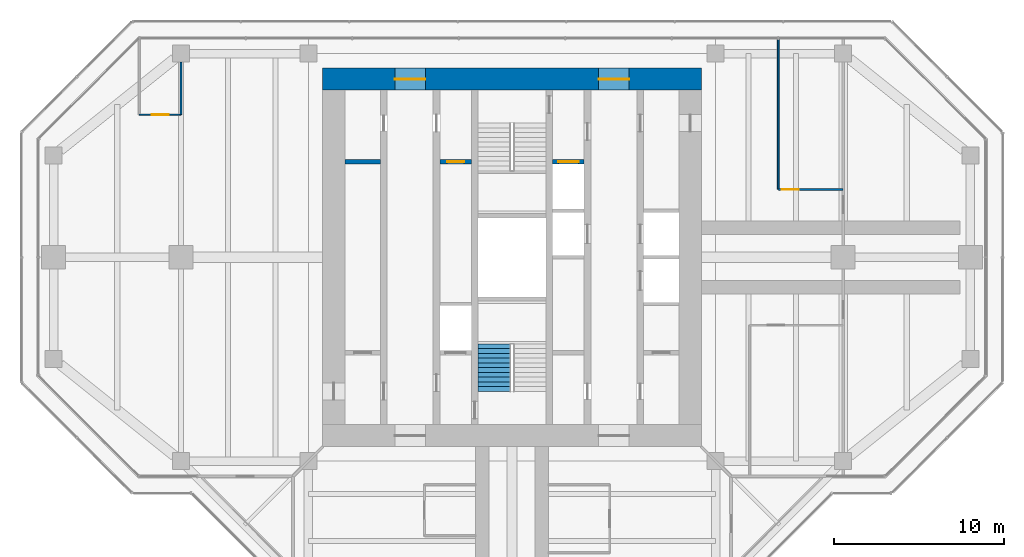
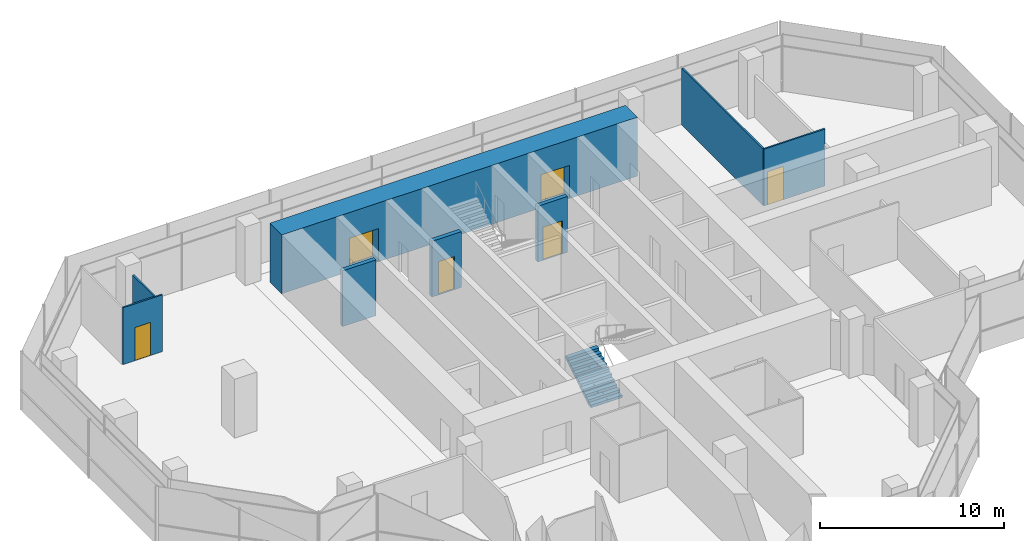
# One storey, part 13 of 15: 8 walls, 6 doors, 1 stair flight, 6 openings, 1 element without a shape of its own.
"""IFC4 building model written with IfcOpenShell, lengths in metres."""

from ifc_helpers import new_model, si_unit, direction, frame, frame_2d, origin, place, context, subcontext, project, spatial, polyline, rectangle, outline, extrude, material, layer, layer_set, type_object, element, fill, aggregate, save


model = new_model("IFC4")

# Units and contexts
model_context = context("Model", 3, precision=1e-05, world=origin(), true_north=direction((0.0, 1.0)))
body_context = subcontext(model_context, "Body", "Model", "MODEL_VIEW")
ifc_project = project(units=[si_unit("LENGTHUNIT", "METRE"), si_unit("AREAUNIT", "SQUARE_METRE"), si_unit("VOLUMEUNIT", "CUBIC_METRE"), si_unit("PLANEANGLEUNIT", "RADIAN"), si_unit("MASSUNIT", "GRAM", prefix="KILO")], contexts=[model_context])

# Site, building, storey
site_placement = place(None, origin())
site = spatial("IfcSite", under=ifc_project, at=site_placement, CompositionType="ELEMENT")
building_placement = place(site_placement, origin())
building = spatial("IfcBuilding", under=site, at=building_placement, Name="Mizan Broadcast Tower", CompositionType="ELEMENT")
storey_placement = place(building_placement, frame((0.0, 0.0, 271.199951171875)))
storey = spatial("IfcBuildingStorey", under=building, at=storey_placement, Name="L64", CompositionType="ELEMENT", Elevation=271.199951171875)

# Wall, openings, doors
ifc_material_1 = material(Name="Concrete C70/85", Category="concrete")
ifc_layer_1 = layer(ifc_material_1, 1.300048828125)
ifc_layer_set_1 = layer_set([ifc_layer_1], Name="Concrete C70/85")
wall_type_1 = type_object("IfcWallType", Name="CORE WALL 1300", PredefinedType="SHEAR", material=ifc_layer_set_1)
wall_1_placement = place(storey_placement, frame((-11.14990234375, 10.5, 0.0), z_axis=(0.0, 0.0, 1.0), x_axis=(1.0, 0.0, 0.0)))
wall_1 = element("IfcWall", 1, at=wall_1_placement, inside=storey, type_object=wall_type_1, Name="Core wall N L64", PredefinedType="SHEAR", context=body_context, shape_type="SweptSolid", body=[
    extrude(rectangle(XDim=22.2998046875, YDim=1.300048828125, at=frame_2d((11.14990234375, 0.0))), origin(), (0.0, 0.0, 1.0), 3.900146484375),
])
opening_1_placement = place(wall_1_placement, frame((4.25, 0.0, 0.0)))
opening_1 = element("IfcOpeningElement", 2, at=opening_1_placement, cuts=wall_1, Name="Opening D18F", PredefinedType="OPENING", context=body_context, shape_type="SweptSolid", body=[
    extrude(rectangle(XDim=1.800048828125, YDim=2.199951171875, at=frame_2d((0.89990234375, 1.10009765625))), frame((0.0, 0.659912109375, 0.0), z_axis=(0.0, -1.0, 0.0), x_axis=(1.0, 0.0, 0.0)), (0.0, 0.0, 1.0), 1.320068359375),
])
opening_2_placement = place(wall_1_placement, frame((16.25, 0.0, 0.0)))
opening_2 = element("IfcOpeningElement", 3, at=opening_2_placement, cuts=wall_1, Name="Opening D18F", PredefinedType="OPENING", context=body_context, shape_type="SweptSolid", body=[
    extrude(rectangle(XDim=1.800048828125, YDim=2.199951171875, at=frame_2d((0.89990234375, 1.10009765625))), frame((0.0, 0.659912109375, 0.0), z_axis=(0.0, -1.0, 0.0), x_axis=(1.0, 0.0, 0.0)), (0.0, 0.0, 1.0), 1.320068359375),
])
ifc_material_2 = material(Name="Steel door leaf in steel frame", Category="steel")
door_type_1 = type_object("IfcDoorType", Name="LOBBY DOUBLE DOOR 1800 FD90", OperationType="DOUBLE_DOOR_DOUBLE_SWING", PredefinedType="DOOR", material=ifc_material_2)
door_1_placement = place(opening_1_placement, origin())
door_1 = element("IfcDoor", 4, at=door_1_placement, inside=storey, type_object=door_type_1, Name="West lift lobby north door", OperationType="DOUBLE_DOOR_DOUBLE_SWING", OverallHeight=2.199951171875, OverallWidth=1.800048828125, PredefinedType="DOOR", context=body_context, shape_type="SweptSolid", body=[
    extrude(rectangle(XDim=1.800048828125, YDim=2.199951171875, at=frame_2d((0.89990234375, 1.10009765625))), frame((0.0, 0.02490234375, 0.0), z_axis=(0.0, -1.0, 0.0), x_axis=(1.0, 0.0, 0.0)), (0.0, 0.0, 1.0), 0.050048828125),
])
fill(opening_1, door_1)
door_2_placement = place(opening_2_placement, origin())
door_2 = element("IfcDoor", 5, at=door_2_placement, inside=storey, type_object=door_type_1, Name="East lift lobby north door", OperationType="DOUBLE_DOOR_DOUBLE_SWING", OverallHeight=2.199951171875, OverallWidth=1.800048828125, PredefinedType="DOOR", context=body_context, shape_type="SweptSolid", body=[
    extrude(rectangle(XDim=1.800048828125, YDim=2.199951171875, at=frame_2d((0.89990234375, 1.10009765625))), frame((0.0, 0.02490234375, 0.0), z_axis=(0.0, -1.0, 0.0), x_axis=(1.0, 0.0, 0.0)), (0.0, 0.0, 1.0), 0.050048828125),
])
fill(opening_2, door_2)

# Wall
ifc_material_3 = material(Name="Concrete blockwork", Category="masonry")
ifc_layer_2 = layer(ifc_material_3, 0.25)
ifc_layer_set_2 = layer_set([ifc_layer_2], Name="Concrete blockwork")
wall_type_2 = type_object("IfcWallType", Name="LOBBY ENCLOSURE WALL 250", PredefinedType="SOLIDWALL", material=ifc_layer_set_2)
wall_2_placement = place(storey_placement, frame((-9.85009765625, 5.625, 0.0), z_axis=(0.0, 0.0, 1.0), x_axis=(1.0, 0.0, 0.0)))
element("IfcWall", 6, at=wall_2_placement, inside=storey, type_object=wall_type_2, Name="Lobby enclosure wall CORE/BW1N", PredefinedType="SOLIDWALL", context=body_context, shape_type="SweptSolid", body=[
    extrude(rectangle(XDim=2.10009765625, YDim=0.25, at=frame_2d((1.050048828125, 0.0))), origin(), (0.0, 0.0, 1.0), 3.699951171875),
])

# Wall, opening, door
wall_3_placement = place(storey_placement, frame((-4.25, 5.625, 0.0), z_axis=(0.0, 0.0, 1.0), x_axis=(1.0, 0.0, 0.0)))
wall_3 = element("IfcWall", 7, at=wall_3_placement, inside=storey, type_object=wall_type_2, Name="Lobby enclosure wall CORE/BW2N", PredefinedType="SOLIDWALL", context=body_context, shape_type="SweptSolid", body=[
    extrude(rectangle(XDim=1.85009765625, YDim=0.25, at=frame_2d((0.925048828125, 0.0))), origin(), (0.0, 0.0, 1.0), 3.699951171875),
])
opening_3_placement = place(wall_3_placement, frame((0.425048828125, 0.0, 0.0)))
opening_3 = element("IfcOpeningElement", 8, at=opening_3_placement, cuts=wall_3, Name="Opening D10F", PredefinedType="OPENING", context=body_context, shape_type="SweptSolid", body=[
    extrude(rectangle(XDim=1.0, YDim=2.199951171875, at=frame_2d((0.5, 1.10009765625))), frame((0.0, 0.135009765625, 0.0), z_axis=(0.0, -1.0, 0.0), x_axis=(1.0, 0.0, 0.0)), (0.0, 0.0, 1.0), 0.27001953125),
])
ifc_material_4 = material(Name="Steel door leaf in steel frame", Category="steel")
door_type_2 = type_object("IfcDoorType", Name="FIRE DOOR 1000 FD90", OperationType="SINGLE_SWING_LEFT", PredefinedType="DOOR", material=ifc_material_4)
door_3_placement = place(opening_3_placement, origin())
door_3 = element("IfcDoor", 9, at=door_3_placement, inside=storey, type_object=door_type_2, Name="Accessible shower room door", OperationType="SINGLE_SWING_RIGHT", OverallHeight=2.199951171875, OverallWidth=1.0, PredefinedType="DOOR", context=body_context, shape_type="SweptSolid", body=[
    extrude(rectangle(XDim=1.0, YDim=2.199951171875, at=frame_2d((0.5, 1.10009765625))), frame((0.0, 0.02490234375, 0.0), z_axis=(0.0, -1.0, 0.0), x_axis=(1.0, 0.0, 0.0)), (0.0, 0.0, 1.0), 0.050048828125),
])
fill(opening_3, door_3)

wall_4_placement = place(storey_placement, frame((2.39990234375, 5.625, 0.0), z_axis=(0.0, 0.0, 1.0), x_axis=(1.0, 0.0, 0.0)))
wall_4 = element("IfcWall", 10, at=wall_4_placement, inside=storey, type_object=wall_type_2, Name="Lobby enclosure wall CORE/BE2N", PredefinedType="SOLIDWALL", context=body_context, shape_type="SweptSolid", body=[
    extrude(rectangle(XDim=1.85009765625, YDim=0.25, at=frame_2d((0.925048828125, 0.0))), origin(), (0.0, 0.0, 1.0), 3.699951171875),
])
opening_4_placement = place(wall_4_placement, frame((0.324951171875, 0.0, 0.0)))
opening_4 = element("IfcOpeningElement", 11, at=opening_4_placement, cuts=wall_4, Name="Opening LDF", PredefinedType="OPENING", context=body_context, shape_type="SweptSolid", body=[
    extrude(rectangle(XDim=1.199951171875, YDim=2.199951171875, at=frame_2d((0.60009765625, 1.10009765625))), frame((0.0, 0.135009765625, 0.0), z_axis=(0.0, -1.0, 0.0), x_axis=(1.0, 0.0, 0.0)), (0.0, 0.0, 1.0), 0.27001953125),
])
ifc_material_5 = material(Name="Steel door leaf in steel frame", Category="steel")
door_type_3 = type_object("IfcDoorType", Name="FIREFIGHTING LIFT LANDING DOOR 1200", OperationType="SLIDING_TO_LEFT", PredefinedType="DOOR", material=ifc_material_5)
door_4_placement = place(opening_4_placement, origin())
door_4 = element("IfcDoor", 12, at=door_4_placement, inside=storey, type_object=door_type_3, Name="Landing door FF2", OperationType="SLIDING_TO_LEFT", OverallHeight=2.199951171875, OverallWidth=1.199951171875, PredefinedType="DOOR", context=body_context, shape_type="SweptSolid", body=[
    extrude(rectangle(XDim=1.199951171875, YDim=2.199951171875, at=frame_2d((0.60009765625, 1.10009765625))), frame((0.0, 0.02490234375, 0.0), z_axis=(0.0, -1.0, 0.0), x_axis=(1.0, 0.0, 0.0)), (0.0, 0.0, 1.0), 0.050048828125),
])
fill(opening_4, door_4)

ifc_material_6 = material(Name="Glazed aluminium partition on aluminium track", Category="aluminium")
ifc_layer_3 = layer(ifc_material_6, 0.10009765625)
ifc_layer_set_3 = layer_set([ifc_layer_3], Name="Glazed aluminium partition on aluminium track")
wall_type_3 = type_object("IfcWallType", Name="PARTITION GLAZED OFFICE FRONT 100", PredefinedType="PARTITIONING", material=ifc_layer_set_3)
wall_5_placement = place(storey_placement, frame((15.68505859375, 4.0, 0.0), z_axis=(0.0, 0.0, 1.0), x_axis=(1.0, 0.0, 0.0)))
wall_5 = element("IfcWall", 13, at=wall_5_placement, inside=storey, type_object=wall_type_3, Name="Glazed office front PT/ECP0", PredefinedType="PARTITIONING", context=body_context, shape_type="SweptSolid", body=[
    extrude(rectangle(XDim=3.81494140625, YDim=0.10009765625, at=frame_2d((1.907470703125, 0.0))), origin(), (0.0, 0.0, 1.0), 3.77001953125),
])
opening_5_placement = place(wall_5_placement, frame((0.20751953125, 0.0, 0.0)))
opening_5 = element("IfcOpeningElement", 14, at=opening_5_placement, cuts=wall_5, Name="Opening D10O", PredefinedType="OPENING", context=body_context, shape_type="SweptSolid", body=[
    extrude(rectangle(XDim=1.0, YDim=2.199951171875, at=frame_2d((0.5, 1.10009765625))), frame((0.0, 0.06005859375, 0.0), z_axis=(0.0, -1.0, 0.0), x_axis=(1.0, 0.0, 0.0)), (0.0, 0.0, 1.0), 0.1201171875),
])
ifc_material_7 = material(Name="Timber door leaf in aluminium frame", Category="wood")
door_type_4 = type_object("IfcDoorType", Name="OFFICE DOOR 1000 GLAZED", OperationType="SINGLE_SWING_LEFT", PredefinedType="DOOR", material=ifc_material_7)
door_5_placement = place(opening_5_placement, origin())
door_5 = element("IfcDoor", 15, at=door_5_placement, inside=storey, type_object=door_type_4, Name="Engineering office door", OperationType="SINGLE_SWING_LEFT", OverallHeight=2.199951171875, OverallWidth=1.0, PredefinedType="DOOR", context=body_context, shape_type="SweptSolid", body=[
    extrude(rectangle(XDim=1.0, YDim=2.199951171875, at=frame_2d((0.5, 1.10009765625))), frame((0.0, 0.02490234375, 0.0), z_axis=(0.0, -1.0, 0.0), x_axis=(1.0, 0.0, 0.0)), (0.0, 0.0, 1.0), 0.050048828125),
])
fill(opening_5, door_5)

# Wall
wall_6_placement = place(storey_placement, frame((15.68505859375, 4.0, 0.0), z_axis=(0.0, 0.0, 1.0), x_axis=(0.0, 1.0, 0.0)))
element("IfcWall", 16, at=wall_6_placement, inside=storey, type_object=wall_type_3, Name="Glazed office front PT/EQP1568", PredefinedType="PARTITIONING", context=body_context, shape_type="SweptSolid", body=[
    extrude(rectangle(XDim=8.820068359375, YDim=0.10009765625, at=frame_2d((4.41015625, 0.0))), origin(), (0.0, 0.0, 1.0), 3.77001953125),
])

# Wall, opening, door
wall_7_placement = place(storey_placement, frame((-19.5, 8.39990234375, 0.0), z_axis=(0.0, 0.0, 1.0), x_axis=(-1.0, 0.0, 0.0)))
wall_7 = element("IfcWall", 17, at=wall_7_placement, inside=storey, type_object=wall_type_3, Name="Glazed office front PT/WCN0", PredefinedType="PARTITIONING", context=body_context, shape_type="SweptSolid", body=[
    extrude(rectangle(XDim=2.458984375, YDim=0.10009765625, at=frame_2d((1.2294921875, 0.0))), origin(), (0.0, 0.0, 1.0), 3.77001953125),
])
opening_6_placement = place(wall_7_placement, frame((0.7294921875, 0.0, 0.0)))
opening_6 = element("IfcOpeningElement", 18, at=opening_6_placement, cuts=wall_7, Name="Opening D10O", PredefinedType="OPENING", context=body_context, shape_type="SweptSolid", body=[
    extrude(rectangle(XDim=1.0, YDim=2.199951171875, at=frame_2d((0.5, 1.10009765625))), frame((0.0, 0.06005859375, 0.0), z_axis=(0.0, -1.0, 0.0), x_axis=(1.0, 0.0, 0.0)), (0.0, 0.0, 1.0), 0.1201171875),
])
door_6_placement = place(opening_6_placement, origin())
door_6 = element("IfcDoor", 19, at=door_6_placement, inside=storey, type_object=door_type_4, Name="Office door", OperationType="SINGLE_SWING_LEFT", OverallHeight=2.199951171875, OverallWidth=1.0, PredefinedType="DOOR", context=body_context, shape_type="SweptSolid", body=[
    extrude(rectangle(XDim=1.0, YDim=2.199951171875, at=frame_2d((0.5, 1.10009765625))), frame((0.0, 0.02490234375, 0.0), z_axis=(0.0, -1.0, 0.0), x_axis=(1.0, 0.0, 0.0)), (0.0, 0.0, 1.0), 0.050048828125),
])
fill(opening_6, door_6)

# Wall
wall_8_placement = place(storey_placement, frame((-19.5, 8.39990234375, 0.0), z_axis=(0.0, 0.0, 1.0), x_axis=(0.0, 1.0, 0.0)))
element("IfcWall", 20, at=wall_8_placement, inside=storey, type_object=wall_type_3, Name="Glazed office front PT/WQN1950", PredefinedType="PARTITIONING", context=body_context, shape_type="SweptSolid", body=[
    extrude(rectangle(XDim=3.10009765625, YDim=0.10009765625, at=frame_2d((1.550048828125, 0.0))), origin(), (0.0, 0.0, 1.0), 3.179931640625),
])

# Stair, stair flight
ifc_material_8 = material(Name="Concrete C40/50", Category="concrete")
stair_type = type_object("IfcStairType", Name="EXIT STAIR", PredefinedType="HALF_TURN_STAIR", material=ifc_material_8)
stair_placement = place(storey_placement, origin())
stair = element("IfcStair", 21, at=stair_placement, inside=storey, type_object=stair_type, Name="Stair A L64", PredefinedType="HALF_TURN_STAIR")
ifc_material_9 = material(Name="Concrete C40/50", Category="concrete")
stair_flight_type = type_object("IfcStairFlightType", Name="EXIT STAIR FLIGHT", PredefinedType="STRAIGHT", material=ifc_material_9)
stair_flight_placement = place(storey_placement, frame((-1.02490234375, -7.89990234375, 0.0), z_axis=(0.0, 0.0, 1.0), x_axis=(0.0, 1.0, 0.0)))
stair_flight = element("IfcStairFlight", 22, at=stair_flight_placement, type_object=stair_flight_type, Name="A flight 1", NumberOfRisers=11, NumberOfTreads=10, PredefinedType="STRAIGHT", RiserHeight=0.177272727, TreadLength=0.28, context=body_context, shape_type="SweptSolid", body=[
    extrude(outline(polyline([(0.0, 0.0), (0.0, 0.17724609375), (0.280029296875, 0.17724609375), (0.280029296875, 0.3544921875), (0.56005859375, 0.3544921875), (0.56005859375, 0.53173828125), (0.840087890625, 0.53173828125), (0.840087890625, 0.708984375), (1.1201171875, 0.708984375), (1.1201171875, 0.886474609375), (1.39990234375, 0.886474609375), (1.39990234375, 1.063720703125), (1.679931640625, 1.063720703125), (1.679931640625, 1.240966796875), (1.9599609375, 1.240966796875), (1.9599609375, 1.418212890625), (2.239990234375, 1.418212890625), (2.239990234375, 1.595458984375), (2.52001953125, 1.595458984375), (2.52001953125, 1.772705078125), (2.800048828125, 1.772705078125), (2.800048828125, 1.949951171875), (2.800048828125, 1.59521484375), (0.2802734375, 0.0), (0.0, 0.0)])), frame((0.0, 0.97509765625, 0.0), z_axis=(0.0, -1.0, 0.0), x_axis=(1.0, 0.0, 0.0)), (0.0, 0.0, 1.0), 0.4873046875),
    extrude(outline(polyline([(0.0, 0.0), (0.0, 0.17724609375), (0.280029296875, 0.17724609375), (0.280029296875, 0.3544921875), (0.56005859375, 0.3544921875), (0.56005859375, 0.53173828125), (0.840087890625, 0.53173828125), (0.840087890625, 0.708984375), (1.1201171875, 0.708984375), (1.1201171875, 0.886474609375), (1.39990234375, 0.886474609375), (1.39990234375, 1.063720703125), (1.679931640625, 1.063720703125), (1.679931640625, 1.240966796875), (1.9599609375, 1.240966796875), (1.9599609375, 1.418212890625), (2.239990234375, 1.418212890625), (2.239990234375, 1.595458984375), (2.52001953125, 1.595458984375), (2.52001953125, 1.772705078125), (2.800048828125, 1.772705078125), (2.800048828125, 1.949951171875), (2.800048828125, 1.59521484375), (0.2802734375, 0.0), (0.0, 0.0)])), frame((0.0, 0.4873046875, 0.0), z_axis=(0.0, -1.0, 0.0), x_axis=(1.0, 0.0, 0.0)), (0.0, 0.0, 1.0), 0.2431640625),
    extrude(outline(polyline([(0.0, 0.0), (0.0, 0.17724609375), (0.280029296875, 0.17724609375), (0.280029296875, 0.3544921875), (0.56005859375, 0.3544921875), (0.56005859375, 0.53173828125), (0.840087890625, 0.53173828125), (0.840087890625, 0.708984375), (1.1201171875, 0.708984375), (1.1201171875, 0.886474609375), (1.39990234375, 0.886474609375), (1.39990234375, 1.063720703125), (1.679931640625, 1.063720703125), (1.679931640625, 1.240966796875), (1.9599609375, 1.240966796875), (1.9599609375, 1.418212890625), (2.239990234375, 1.418212890625), (2.239990234375, 1.595458984375), (2.52001953125, 1.595458984375), (2.52001953125, 1.772705078125), (2.800048828125, 1.772705078125), (2.800048828125, 1.949951171875), (2.800048828125, 1.59521484375), (0.2802734375, 0.0), (0.0, 0.0)])), frame((0.0, 0.24365234375, 0.0), z_axis=(0.0, -1.0, 0.0), x_axis=(1.0, 0.0, 0.0)), (0.0, 0.0, 1.0), 0.121337890625),
    extrude(outline(polyline([(0.0, 0.0), (0.0, 0.17724609375), (0.280029296875, 0.17724609375), (0.280029296875, 0.3544921875), (0.56005859375, 0.3544921875), (0.56005859375, 0.53173828125), (0.840087890625, 0.53173828125), (0.840087890625, 0.708984375), (1.1201171875, 0.708984375), (1.1201171875, 0.886474609375), (1.39990234375, 0.886474609375), (1.39990234375, 1.063720703125), (1.679931640625, 1.063720703125), (1.679931640625, 1.240966796875), (1.9599609375, 1.240966796875), (1.9599609375, 1.418212890625), (2.239990234375, 1.418212890625), (2.239990234375, 1.595458984375), (2.52001953125, 1.595458984375), (2.52001953125, 1.772705078125), (2.800048828125, 1.772705078125), (2.800048828125, 1.949951171875), (2.800048828125, 1.59521484375), (0.2802734375, 0.0), (0.0, 0.0)])), frame((0.0, 0.121826171875, 0.0), z_axis=(0.0, -1.0, 0.0), x_axis=(1.0, 0.0, 0.0)), (0.0, 0.0, 1.0), 0.060546875),
    extrude(outline(polyline([(0.0, 0.0), (0.0, 0.17724609375), (0.280029296875, 0.17724609375), (0.280029296875, 0.3544921875), (0.56005859375, 0.3544921875), (0.56005859375, 0.53173828125), (0.840087890625, 0.53173828125), (0.840087890625, 0.708984375), (1.1201171875, 0.708984375), (1.1201171875, 0.886474609375), (1.39990234375, 0.886474609375), (1.39990234375, 1.063720703125), (1.679931640625, 1.063720703125), (1.679931640625, 1.240966796875), (1.9599609375, 1.240966796875), (1.9599609375, 1.418212890625), (2.239990234375, 1.418212890625), (2.239990234375, 1.595458984375), (2.52001953125, 1.595458984375), (2.52001953125, 1.772705078125), (2.800048828125, 1.772705078125), (2.800048828125, 1.949951171875), (2.800048828125, 1.59521484375), (0.2802734375, 0.0), (0.0, 0.0)])), frame((0.0, 0.060791015625, 0.0), z_axis=(0.0, -1.0, 0.0), x_axis=(1.0, 0.0, 0.0)), (0.0, 0.0, 1.0), 0.030029296875),
    extrude(outline(polyline([(0.0, 0.0), (0.0, 0.17724609375), (0.280029296875, 0.17724609375), (0.280029296875, 0.3544921875), (0.56005859375, 0.3544921875), (0.56005859375, 0.53173828125), (0.840087890625, 0.53173828125), (0.840087890625, 0.708984375), (1.1201171875, 0.708984375), (1.1201171875, 0.886474609375), (1.39990234375, 0.886474609375), (1.39990234375, 1.063720703125), (1.679931640625, 1.063720703125), (1.679931640625, 1.240966796875), (1.9599609375, 1.240966796875), (1.9599609375, 1.418212890625), (2.239990234375, 1.418212890625), (2.239990234375, 1.595458984375), (2.52001953125, 1.595458984375), (2.52001953125, 1.772705078125), (2.800048828125, 1.772705078125), (2.800048828125, 1.949951171875), (2.800048828125, 1.59521484375), (0.2802734375, 0.0), (0.0, 0.0)])), frame((0.0, 0.0302734375, 0.0), z_axis=(0.0, -1.0, 0.0), x_axis=(1.0, 0.0, 0.0)), (0.0, 0.0, 1.0), 0.060302734375),
    extrude(outline(polyline([(0.0, 0.0), (0.0, 0.17724609375), (0.280029296875, 0.17724609375), (0.280029296875, 0.3544921875), (0.56005859375, 0.3544921875), (0.56005859375, 0.53173828125), (0.840087890625, 0.53173828125), (0.840087890625, 0.708984375), (1.1201171875, 0.708984375), (1.1201171875, 0.886474609375), (1.39990234375, 0.886474609375), (1.39990234375, 1.063720703125), (1.679931640625, 1.063720703125), (1.679931640625, 1.240966796875), (1.9599609375, 1.240966796875), (1.9599609375, 1.418212890625), (2.239990234375, 1.418212890625), (2.239990234375, 1.595458984375), (2.52001953125, 1.595458984375), (2.52001953125, 1.772705078125), (2.800048828125, 1.772705078125), (2.800048828125, 1.949951171875), (2.800048828125, 1.59521484375), (0.2802734375, 0.0), (0.0, 0.0)])), frame((0.0, -0.030517578125, 0.0), z_axis=(0.0, -1.0, 0.0), x_axis=(1.0, 0.0, 0.0)), (0.0, 0.0, 1.0), 0.030029296875),
    extrude(outline(polyline([(0.0, 0.0), (0.0, 0.17724609375), (0.280029296875, 0.17724609375), (0.280029296875, 0.3544921875), (0.56005859375, 0.3544921875), (0.56005859375, 0.53173828125), (0.840087890625, 0.53173828125), (0.840087890625, 0.708984375), (1.1201171875, 0.708984375), (1.1201171875, 0.886474609375), (1.39990234375, 0.886474609375), (1.39990234375, 1.063720703125), (1.679931640625, 1.063720703125), (1.679931640625, 1.240966796875), (1.9599609375, 1.240966796875), (1.9599609375, 1.418212890625), (2.239990234375, 1.418212890625), (2.239990234375, 1.595458984375), (2.52001953125, 1.595458984375), (2.52001953125, 1.772705078125), (2.800048828125, 1.772705078125), (2.800048828125, 1.949951171875), (2.800048828125, 1.59521484375), (0.2802734375, 0.0), (0.0, 0.0)])), frame((0.0, -0.06103515625, 0.0), z_axis=(0.0, -1.0, 0.0), x_axis=(1.0, 0.0, 0.0)), (0.0, 0.0, 1.0), 0.060546875),
    extrude(outline(polyline([(0.0, 0.0), (0.0, 0.17724609375), (0.280029296875, 0.17724609375), (0.280029296875, 0.3544921875), (0.56005859375, 0.3544921875), (0.56005859375, 0.53173828125), (0.840087890625, 0.53173828125), (0.840087890625, 0.708984375), (1.1201171875, 0.708984375), (1.1201171875, 0.886474609375), (1.39990234375, 0.886474609375), (1.39990234375, 1.063720703125), (1.679931640625, 1.063720703125), (1.679931640625, 1.240966796875), (1.9599609375, 1.240966796875), (1.9599609375, 1.418212890625), (2.239990234375, 1.418212890625), (2.239990234375, 1.595458984375), (2.52001953125, 1.595458984375), (2.52001953125, 1.772705078125), (2.800048828125, 1.772705078125), (2.800048828125, 1.949951171875), (2.800048828125, 1.59521484375), (0.2802734375, 0.0), (0.0, 0.0)])), frame((0.0, -0.1220703125, 0.0), z_axis=(0.0, -1.0, 0.0), x_axis=(1.0, 0.0, 0.0)), (0.0, 0.0, 1.0), 0.121337890625),
    extrude(outline(polyline([(0.0, 0.0), (0.0, 0.17724609375), (0.280029296875, 0.17724609375), (0.280029296875, 0.3544921875), (0.56005859375, 0.3544921875), (0.56005859375, 0.53173828125), (0.840087890625, 0.53173828125), (0.840087890625, 0.708984375), (1.1201171875, 0.708984375), (1.1201171875, 0.886474609375), (1.39990234375, 0.886474609375), (1.39990234375, 1.063720703125), (1.679931640625, 1.063720703125), (1.679931640625, 1.240966796875), (1.9599609375, 1.240966796875), (1.9599609375, 1.418212890625), (2.239990234375, 1.418212890625), (2.239990234375, 1.595458984375), (2.52001953125, 1.595458984375), (2.52001953125, 1.772705078125), (2.800048828125, 1.772705078125), (2.800048828125, 1.949951171875), (2.800048828125, 1.59521484375), (0.2802734375, 0.0), (0.0, 0.0)])), frame((0.0, -0.243896484375, 0.0), z_axis=(0.0, -1.0, 0.0), x_axis=(1.0, 0.0, 0.0)), (0.0, 0.0, 1.0), 0.2431640625),
    extrude(outline(polyline([(0.0, 0.0), (0.0, 0.17724609375), (0.280029296875, 0.17724609375), (0.280029296875, 0.3544921875), (0.56005859375, 0.3544921875), (0.56005859375, 0.53173828125), (0.840087890625, 0.53173828125), (0.840087890625, 0.708984375), (1.1201171875, 0.708984375), (1.1201171875, 0.886474609375), (1.39990234375, 0.886474609375), (1.39990234375, 1.063720703125), (1.679931640625, 1.063720703125), (1.679931640625, 1.240966796875), (1.9599609375, 1.240966796875), (1.9599609375, 1.418212890625), (2.239990234375, 1.418212890625), (2.239990234375, 1.595458984375), (2.52001953125, 1.595458984375), (2.52001953125, 1.772705078125), (2.800048828125, 1.772705078125), (2.800048828125, 1.949951171875), (2.800048828125, 1.59521484375), (0.2802734375, 0.0), (0.0, 0.0)])), frame((0.0, -0.487548828125, 0.0), z_axis=(0.0, -1.0, 0.0), x_axis=(1.0, 0.0, 0.0)), (0.0, 0.0, 1.0), 0.4873046875),
])
aggregate(stair, [stair_flight])

save(model, "model.ifc")
